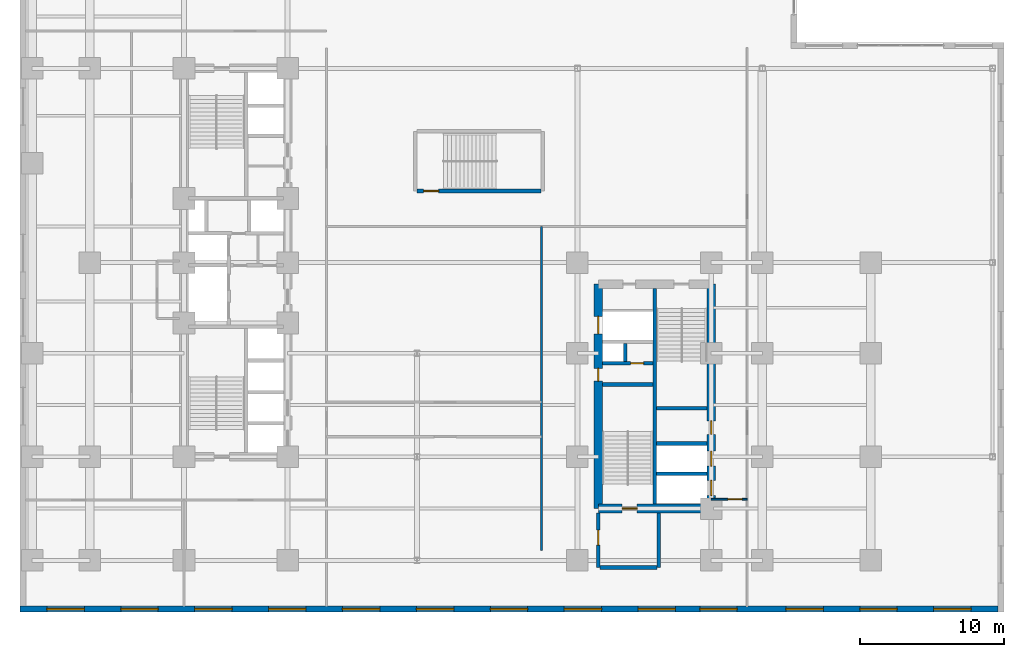
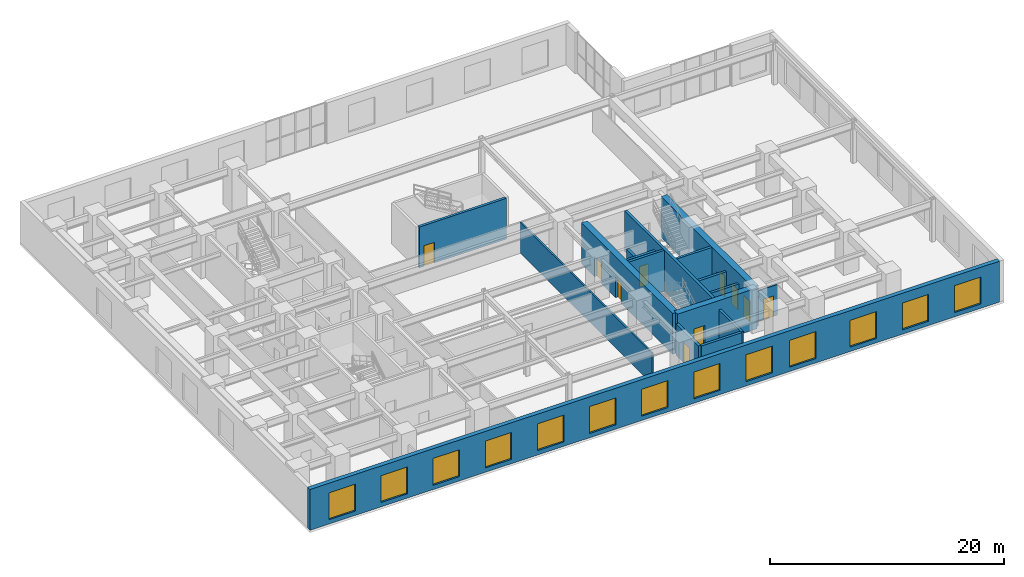
# One storey, part 10 of 15: 17 walls, 13 windows, 10 doors, 23 openings.
"""IFC4 building model written with IfcOpenShell, lengths in metres."""

from ifc_helpers import new_model, entity, si_unit, converted_unit, direction, frame, origin_with_axes, origin_2d_with_axis, place, context, subcontext, project, spatial, polyline, rectangle, outline, extrude, material, layer, layer_set, type_object, element, fill, save


model = new_model("IFC4")

# Units and contexts
model_context = context("Model", 3, precision=1e-05, world=origin_with_axes(), true_north=direction((0.0, 1.0)))
body_context = subcontext(model_context, "Body", "Model", "MODEL_VIEW")
ifc_project = project(units=[si_unit("LENGTHUNIT", "METRE"), si_unit("AREAUNIT", "SQUARE_METRE"), si_unit("VOLUMEUNIT", "CUBIC_METRE"), converted_unit("PLANEANGLEUNIT", "DEGREE", entity("IfcPlaneAngleMeasure", 0.017453292519943295), si_unit("PLANEANGLEUNIT", "RADIAN"), dimensions=[0, 0, 0, 0, 0, 0, 0]), si_unit("MASSUNIT", "GRAM", prefix="KILO"), si_unit("THERMODYNAMICTEMPERATUREUNIT", "KELVIN")], contexts=[model_context])

# Site, building, storey
site_placement = place(None, origin_with_axes())
site = spatial("IfcSite", under=ifc_project, at=site_placement, CompositionType="ELEMENT")
building_placement = place(site_placement, origin_with_axes())
building = spatial("IfcBuilding", under=site, at=building_placement, Name="Varnlund Millrace Tower", CompositionType="ELEMENT")
storey_placement = place(building_placement, frame((0.0, 0.0, 15.3), z_axis=(0.0, 0.0, 1.0), x_axis=(1.0, 0.0, 0.0)))
storey = spatial("IfcBuildingStorey", under=building, at=storey_placement, Name="L03", CompositionType="ELEMENT", Elevation=15.3)

# Wall, openings, doors
ifc_material_1 = material(Name="Concrete C80/95", Category="concrete")
ifc_layer_1 = layer(ifc_material_1, 0.6, Name="Concrete C80/95")
ifc_layer_set_1 = layer_set([ifc_layer_1], Name="Concrete C80/95")
wall_type_1 = type_object("IfcWallType", Name="Type-CoreWall-Shear-600-C80", PredefinedType="SHEAR", material=ifc_layer_set_1)
wall_1_placement = place(storey_placement, frame((40.2, 7.2, 0.0), z_axis=(0.0, 0.0, 1.0), x_axis=(0.0, 1.0, 0.0)))
wall_1 = element("IfcWall", 1, at=wall_1_placement, inside=storey, type_object=wall_type_1, Name="Type-CoreWall-Shear-600-C80", PredefinedType="SHEAR", context=body_context, shape_type="SweptSolid", body=[
    extrude(outline(polyline([(0.0, -0.3), (15.6, -0.3), (15.6, 0.3), (0.0, 0.3), (0.0, -0.3)])), origin_with_axes(), (0.0, 0.0, 1.0), 4.26),
])
opening_1_placement = place(wall_1_placement, frame((12.75, 0.0, 0.0), z_axis=(0.0, 0.0, 1.0), x_axis=(1.0, 0.0, 0.0)))
opening_1 = element("IfcOpeningElement", 2, at=opening_1_placement, cuts=wall_1, Name="Opening L03:LD-SRV2", PredefinedType="OPENING", context=body_context, shape_type="SweptSolid", body=[
    extrude(rectangle(XDim=1.2, YDim=0.62, at=origin_2d_with_axis()), origin_with_axes(), (0.0, 0.0, 1.0), 2.15),
])
opening_2_placement = place(wall_1_placement, frame((9.3, 0.0, 0.0), z_axis=(0.0, 0.0, 1.0), x_axis=(1.0, 0.0, 0.0)))
opening_2 = element("IfcOpeningElement", 3, at=opening_2_placement, cuts=wall_1, Name="Opening L03:DR-CB-JAN", PredefinedType="OPENING", context=body_context, shape_type="SweptSolid", body=[
    extrude(rectangle(XDim=0.9, YDim=0.62, at=origin_2d_with_axis()), origin_with_axes(), (0.0, 0.0, 1.0), 2.15),
])
ifc_material_2 = material(Name="Fire-rated hollow steel service closet door", Category="steel")
door_type_1 = type_object("IfcDoorType", Name="Type-FireDoor-Closet-900X2150", OperationType="NOTDEFINED", PredefinedType="DOOR", material=ifc_material_2)
door_1_placement = place(wall_1_placement, frame((9.3, 0.0, 0.0), z_axis=(0.0, 0.0, 1.0), x_axis=(1.0, 0.0, 0.0)))
door_1 = element("IfcDoor", 4, at=door_1_placement, inside=storey, type_object=door_type_1, Name="Type-FireDoor-Closet-900X2150", OperationType="SINGLE_SWING_RIGHT", OverallHeight=2.15, OverallWidth=0.9, PredefinedType="DOOR", context=body_context, shape_type="SweptSolid", body=[
    extrude(rectangle(XDim=0.9, YDim=0.09, at=origin_2d_with_axis()), origin_with_axes(), (0.0, 0.0, 1.0), 2.15),
])
fill(opening_2, door_1)
ifc_material_3 = material(Name="Heavy-duty freight sliding landing door")
door_type_2 = type_object("IfcDoorType", Name="Type-LiftLandingDoor-Service-1200X2150", OperationType="NOTDEFINED", PredefinedType="DOOR", material=ifc_material_3)
door_2_placement = place(wall_1_placement, frame((12.75, 0.0, 0.0), z_axis=(0.0, 0.0, 1.0), x_axis=(1.0, 0.0, 0.0)))
door_2 = element("IfcDoor", 5, at=door_2_placement, inside=storey, type_object=door_type_2, Name="Type-LiftLandingDoor-Service-1200X2150", OperationType="DOUBLE_DOOR_SLIDING", OverallHeight=2.15, OverallWidth=1.2, PredefinedType="DOOR", context=body_context, shape_type="SweptSolid", body=[
    extrude(rectangle(XDim=1.2, YDim=0.09, at=origin_2d_with_axis()), origin_with_axes(), (0.0, 0.0, 1.0), 2.15),
])
fill(opening_1, door_2)

# Wall, opening, door
wall_2_placement = place(storey_placement, frame((40.2, 7.2, 0.0), z_axis=(0.0, 0.0, 1.0), x_axis=(1.0, 0.0, 0.0)))
wall_2 = element("IfcWall", 6, at=wall_2_placement, inside=storey, type_object=wall_type_1, Name="Type-CoreWall-Shear-600-C80", PredefinedType="SHEAR", context=body_context, shape_type="SweptSolid", body=[
    extrude(outline(polyline([(0.0, -0.3), (7.85, -0.3), (7.85, 0.3), (0.0, 0.3), (0.0, -0.3)])), origin_with_axes(), (0.0, 0.0, 1.0), 4.26),
])
opening_3_placement = place(wall_2_placement, frame((2.175, 0.0, 0.0), z_axis=(0.0, 0.0, 1.0), x_axis=(1.0, 0.0, 0.0)))
opening_3 = element("IfcOpeningElement", 7, at=opening_3_placement, cuts=wall_2, Name="Opening L03:DR-STB1", PredefinedType="OPENING", context=body_context, shape_type="SweptSolid", body=[
    extrude(rectangle(XDim=1.05, YDim=0.62, at=origin_2d_with_axis()), origin_with_axes(), (0.0, 0.0, 1.0), 2.15),
])
ifc_material_4 = material(Name="Fire-rated hollow steel door", Category="steel")
door_type_3 = type_object("IfcDoorType", Name="Type-FireDoor-Stair-1050X2150", OperationType="NOTDEFINED", PredefinedType="DOOR", material=ifc_material_4)
door_3_placement = place(wall_2_placement, frame((2.175, 0.0, 0.0), z_axis=(0.0, 0.0, 1.0), x_axis=(1.0, 0.0, 0.0)))
door_3 = element("IfcDoor", 8, at=door_3_placement, inside=storey, type_object=door_type_3, Name="Type-FireDoor-Stair-1050X2150", OperationType="SINGLE_SWING_LEFT", OverallHeight=2.15, OverallWidth=1.05, PredefinedType="DOOR", context=body_context, shape_type="SweptSolid", body=[
    extrude(rectangle(XDim=1.05, YDim=0.09, at=origin_2d_with_axis()), origin_with_axes(), (0.0, 0.0, 1.0), 2.15),
])
fill(opening_3, door_3)

# Wall, openings, doors
wall_3_placement = place(storey_placement, frame((48.05, 7.2, 0.0), z_axis=(0.0, 0.0, 1.0), x_axis=(0.0, 1.0, 0.0)))
wall_3 = element("IfcWall", 9, at=wall_3_placement, inside=storey, type_object=wall_type_1, Name="Type-CoreWall-Shear-600-C80", PredefinedType="SHEAR", context=body_context, shape_type="SweptSolid", body=[
    extrude(outline(polyline([(0.0, -0.3), (15.6, -0.3), (15.6, 0.3), (0.0, 0.3), (0.0, -0.3)])), origin_with_axes(), (0.0, 0.0, 1.0), 4.26),
])
opening_4_placement = place(wall_3_placement, frame((1.425, 0.0, 0.0), z_axis=(0.0, 0.0, 1.0), x_axis=(1.0, 0.0, 0.0)))
opening_4 = element("IfcOpeningElement", 10, at=opening_4_placement, cuts=wall_3, Name="Opening L03:LD-ELV-L3", PredefinedType="OPENING", context=body_context, shape_type="SweptSolid", body=[
    extrude(rectangle(XDim=1.05, YDim=0.62, at=origin_2d_with_axis()), origin_with_axes(), (0.0, 0.0, 1.0), 2.15),
])
opening_5_placement = place(wall_3_placement, frame((3.475, 0.0, 0.0), z_axis=(0.0, 0.0, 1.0), x_axis=(1.0, 0.0, 0.0)))
opening_5 = element("IfcOpeningElement", 11, at=opening_5_placement, cuts=wall_3, Name="Opening L03:LD-ELV-L4", PredefinedType="OPENING", context=body_context, shape_type="SweptSolid", body=[
    extrude(rectangle(XDim=1.05, YDim=0.62, at=origin_2d_with_axis()), origin_with_axes(), (0.0, 0.0, 1.0), 2.15),
])
opening_6_placement = place(wall_3_placement, frame((5.625, 0.0, 0.0), z_axis=(0.0, 0.0, 1.0), x_axis=(1.0, 0.0, 0.0)))
opening_6 = element("IfcOpeningElement", 12, at=opening_6_placement, cuts=wall_3, Name="Opening L03:DR-CB-WC", PredefinedType="OPENING", context=body_context, shape_type="SweptSolid", body=[
    extrude(rectangle(XDim=0.95, YDim=0.62, at=origin_2d_with_axis()), origin_with_axes(), (0.0, 0.0, 1.0), 2.15),
])
ifc_material_5 = material(Name="Fire-rated hollow steel core service door", Category="steel")
door_type_4 = type_object("IfcDoorType", Name="Type-FireDoor-Service-950X2150", OperationType="NOTDEFINED", PredefinedType="DOOR", material=ifc_material_5)
door_4_placement = place(wall_3_placement, frame((5.625, 0.0, 0.0), z_axis=(0.0, 0.0, 1.0), x_axis=(1.0, 0.0, 0.0)))
door_4 = element("IfcDoor", 13, at=door_4_placement, inside=storey, type_object=door_type_4, Name="Type-FireDoor-Service-950X2150", OperationType="SINGLE_SWING_LEFT", OverallHeight=2.15, OverallWidth=0.95, PredefinedType="DOOR", context=body_context, shape_type="SweptSolid", body=[
    extrude(rectangle(XDim=0.95, YDim=0.09, at=origin_2d_with_axis()), origin_with_axes(), (0.0, 0.0, 1.0), 2.15),
])
fill(opening_6, door_4)
ifc_material_6 = material(Name="Architectural bronze sliding landing door")
door_type_5 = type_object("IfcDoorType", Name="Type-LiftLandingDoor-Compact-1050X2150", OperationType="NOTDEFINED", PredefinedType="DOOR", material=ifc_material_6)
door_5_placement = place(wall_3_placement, frame((1.425, 0.0, 0.0), z_axis=(0.0, 0.0, 1.0), x_axis=(1.0, 0.0, 0.0)))
door_5 = element("IfcDoor", 14, at=door_5_placement, inside=storey, type_object=door_type_5, Name="Type-LiftLandingDoor-Compact-1050X2150", OperationType="SLIDING_TO_LEFT", OverallHeight=2.15, OverallWidth=1.05, PredefinedType="DOOR", context=body_context, shape_type="SweptSolid", body=[
    extrude(rectangle(XDim=1.05, YDim=0.09, at=origin_2d_with_axis()), origin_with_axes(), (0.0, 0.0, 1.0), 2.15),
])
fill(opening_4, door_5)
door_6_placement = place(wall_3_placement, frame((3.475, 0.0, 0.0), z_axis=(0.0, 0.0, 1.0), x_axis=(1.0, 0.0, 0.0)))
door_6 = element("IfcDoor", 15, at=door_6_placement, inside=storey, type_object=door_type_5, Name="Type-LiftLandingDoor-Compact-1050X2150", OperationType="SLIDING_TO_RIGHT", OverallHeight=2.15, OverallWidth=1.05, PredefinedType="DOOR", context=body_context, shape_type="SweptSolid", body=[
    extrude(rectangle(XDim=1.05, YDim=0.09, at=origin_2d_with_axis()), origin_with_axes(), (0.0, 0.0, 1.0), 2.15),
])
fill(opening_5, door_6)

# Wall, openings, windows
ifc_material_7 = material(Name="Precast concrete C50/60", Category="concrete")
ifc_layer_2 = layer(ifc_material_7, 0.42, Name="Precast concrete C50/60")
ifc_layer_set_2 = layer_set([ifc_layer_2], Name="Precast concrete C50/60")
wall_type_2 = type_object("IfcWallType", Name="Type-ExtWall-Precast-Pier-420", PredefinedType="SOLIDWALL", material=ifc_layer_set_2)
wall_4_placement = place(storey_placement, frame((67.98, 0.21, 0.0), z_axis=(0.0, 0.0, 1.0), x_axis=(-1.0, 0.0, 0.0)))
wall_4 = element("IfcWall", 16, at=wall_4_placement, inside=storey, type_object=wall_type_2, Name="Type-ExtWall-Precast-Pier-420", PredefinedType="SOLIDWALL", context=body_context, shape_type="SweptSolid", body=[
    extrude(outline(polyline([(0.0, -0.21), (67.98, -0.21), (67.98, 0.21), (0.0, 0.21), (0.0, -0.21)])), origin_with_axes(), (0.0, 0.0, 1.0), 4.26),
])
opening_7_placement = place(wall_4_placement, frame((3.168, 0.0, 0.45), z_axis=(0.0, 0.0, 1.0), x_axis=(1.0, 0.0, 0.0)))
opening_7 = element("IfcOpeningElement", 17, at=opening_7_placement, cuts=wall_4, Name="Opening L03:WN-01", PredefinedType="OPENING", context=body_context, shape_type="SweptSolid", body=[
    extrude(rectangle(XDim=2.6, YDim=0.44, at=origin_2d_with_axis()), origin_with_axes(), (0.0, 0.0, 1.0), 2.8),
])
opening_8_placement = place(wall_4_placement, frame((8.305, 0.0, 0.45), z_axis=(0.0, 0.0, 1.0), x_axis=(1.0, 0.0, 0.0)))
opening_8 = element("IfcOpeningElement", 18, at=opening_8_placement, cuts=wall_4, Name="Opening L03:WN-02", PredefinedType="OPENING", context=body_context, shape_type="SweptSolid", body=[
    extrude(rectangle(XDim=2.6, YDim=0.44, at=origin_2d_with_axis()), origin_with_axes(), (0.0, 0.0, 1.0), 2.8),
])
opening_9_placement = place(wall_4_placement, frame((13.442, 0.0, 0.45), z_axis=(0.0, 0.0, 1.0), x_axis=(1.0, 0.0, 0.0)))
opening_9 = element("IfcOpeningElement", 19, at=opening_9_placement, cuts=wall_4, Name="Opening L03:WN-03", PredefinedType="OPENING", context=body_context, shape_type="SweptSolid", body=[
    extrude(rectangle(XDim=2.6, YDim=0.44, at=origin_2d_with_axis()), origin_with_axes(), (0.0, 0.0, 1.0), 2.8),
])
opening_10_placement = place(wall_4_placement, frame((19.429, 0.0, 0.45), z_axis=(0.0, 0.0, 1.0), x_axis=(1.0, 0.0, 0.0)))
opening_10 = element("IfcOpeningElement", 20, at=opening_10_placement, cuts=wall_4, Name="Opening L03:WN-04", PredefinedType="OPENING", context=body_context, shape_type="SweptSolid", body=[
    extrude(rectangle(XDim=2.6, YDim=0.44, at=origin_2d_with_axis()), origin_with_axes(), (0.0, 0.0, 1.0), 2.8),
])
opening_11_placement = place(wall_4_placement, frame((23.716, 0.0, 0.45), z_axis=(0.0, 0.0, 1.0), x_axis=(1.0, 0.0, 0.0)))
opening_11 = element("IfcOpeningElement", 21, at=opening_11_placement, cuts=wall_4, Name="Opening L03:WN-05", PredefinedType="OPENING", context=body_context, shape_type="SweptSolid", body=[
    extrude(rectangle(XDim=2.6, YDim=0.44, at=origin_2d_with_axis()), origin_with_axes(), (0.0, 0.0, 1.0), 2.8),
])
opening_12_placement = place(wall_4_placement, frame((28.853, 0.0, 0.45), z_axis=(0.0, 0.0, 1.0), x_axis=(1.0, 0.0, 0.0)))
opening_12 = element("IfcOpeningElement", 22, at=opening_12_placement, cuts=wall_4, Name="Opening L03:WN-06", PredefinedType="OPENING", context=body_context, shape_type="SweptSolid", body=[
    extrude(rectangle(XDim=2.6, YDim=0.44, at=origin_2d_with_axis()), origin_with_axes(), (0.0, 0.0, 1.0), 2.8),
])
opening_13_placement = place(wall_4_placement, frame((33.99, 0.0, 0.45), z_axis=(0.0, 0.0, 1.0), x_axis=(1.0, 0.0, 0.0)))
opening_13 = element("IfcOpeningElement", 23, at=opening_13_placement, cuts=wall_4, Name="Opening L03:WN-07", PredefinedType="OPENING", context=body_context, shape_type="SweptSolid", body=[
    extrude(rectangle(XDim=2.6, YDim=0.44, at=origin_2d_with_axis()), origin_with_axes(), (0.0, 0.0, 1.0), 2.8),
])
opening_14_placement = place(wall_4_placement, frame((39.127, 0.0, 0.45), z_axis=(0.0, 0.0, 1.0), x_axis=(1.0, 0.0, 0.0)))
opening_14 = element("IfcOpeningElement", 24, at=opening_14_placement, cuts=wall_4, Name="Opening L03:WN-08", PredefinedType="OPENING", context=body_context, shape_type="SweptSolid", body=[
    extrude(rectangle(XDim=2.6, YDim=0.44, at=origin_2d_with_axis()), origin_with_axes(), (0.0, 0.0, 1.0), 2.8),
])
opening_15_placement = place(wall_4_placement, frame((44.264, 0.0, 0.45), z_axis=(0.0, 0.0, 1.0), x_axis=(1.0, 0.0, 0.0)))
opening_15 = element("IfcOpeningElement", 25, at=opening_15_placement, cuts=wall_4, Name="Opening L03:WN-09", PredefinedType="OPENING", context=body_context, shape_type="SweptSolid", body=[
    extrude(rectangle(XDim=2.6, YDim=0.44, at=origin_2d_with_axis()), origin_with_axes(), (0.0, 0.0, 1.0), 2.8),
])
opening_16_placement = place(wall_4_placement, frame((49.401, 0.0, 0.45), z_axis=(0.0, 0.0, 1.0), x_axis=(1.0, 0.0, 0.0)))
opening_16 = element("IfcOpeningElement", 26, at=opening_16_placement, cuts=wall_4, Name="Opening L03:WN-10", PredefinedType="OPENING", context=body_context, shape_type="SweptSolid", body=[
    extrude(rectangle(XDim=2.6, YDim=0.44, at=origin_2d_with_axis()), origin_with_axes(), (0.0, 0.0, 1.0), 2.8),
])
opening_17_placement = place(wall_4_placement, frame((54.538, 0.0, 0.45), z_axis=(0.0, 0.0, 1.0), x_axis=(1.0, 0.0, 0.0)))
opening_17 = element("IfcOpeningElement", 27, at=opening_17_placement, cuts=wall_4, Name="Opening L03:WN-11", PredefinedType="OPENING", context=body_context, shape_type="SweptSolid", body=[
    extrude(rectangle(XDim=2.6, YDim=0.44, at=origin_2d_with_axis()), origin_with_axes(), (0.0, 0.0, 1.0), 2.8),
])
opening_18_placement = place(wall_4_placement, frame((59.675, 0.0, 0.45), z_axis=(0.0, 0.0, 1.0), x_axis=(1.0, 0.0, 0.0)))
opening_18 = element("IfcOpeningElement", 28, at=opening_18_placement, cuts=wall_4, Name="Opening L03:WN-12", PredefinedType="OPENING", context=body_context, shape_type="SweptSolid", body=[
    extrude(rectangle(XDim=2.6, YDim=0.44, at=origin_2d_with_axis()), origin_with_axes(), (0.0, 0.0, 1.0), 2.8),
])
opening_19_placement = place(wall_4_placement, frame((64.812, 0.0, 0.45), z_axis=(0.0, 0.0, 1.0), x_axis=(1.0, 0.0, 0.0)))
opening_19 = element("IfcOpeningElement", 29, at=opening_19_placement, cuts=wall_4, Name="Opening L03:WN-13", PredefinedType="OPENING", context=body_context, shape_type="SweptSolid", body=[
    extrude(rectangle(XDim=2.6, YDim=0.44, at=origin_2d_with_axis()), origin_with_axes(), (0.0, 0.0, 1.0), 2.8),
])
ifc_material_8 = material(Name="Argon low-e triple glazing in thermally broken bronze frame", Category="glass")
window_type = type_object("IfcWindowType", Name="Type-Window-Podium-2600X2800", PartitioningType="SINGLE_PANEL", PredefinedType="WINDOW", material=ifc_material_8)
window_1_placement = place(wall_4_placement, frame((3.168, 0.0, 0.45), z_axis=(0.0, 0.0, 1.0), x_axis=(1.0, 0.0, 0.0)))
window_1 = element("IfcWindow", 30, at=window_1_placement, inside=storey, type_object=window_type, Name="Type-Window-Podium-2600X2800", OverallHeight=2.8, OverallWidth=2.6, PredefinedType="WINDOW", context=body_context, shape_type="SweptSolid", body=[
    extrude(rectangle(XDim=2.6, YDim=0.09, at=origin_2d_with_axis()), origin_with_axes(), (0.0, 0.0, 1.0), 2.8),
])
fill(opening_7, window_1)
window_2_placement = place(wall_4_placement, frame((8.305, 0.0, 0.45), z_axis=(0.0, 0.0, 1.0), x_axis=(1.0, 0.0, 0.0)))
window_2 = element("IfcWindow", 31, at=window_2_placement, inside=storey, type_object=window_type, Name="Type-Window-Podium-2600X2800", OverallHeight=2.8, OverallWidth=2.6, PredefinedType="WINDOW", context=body_context, shape_type="SweptSolid", body=[
    extrude(rectangle(XDim=2.6, YDim=0.09, at=origin_2d_with_axis()), origin_with_axes(), (0.0, 0.0, 1.0), 2.8),
])
fill(opening_8, window_2)
window_3_placement = place(wall_4_placement, frame((13.442, 0.0, 0.45), z_axis=(0.0, 0.0, 1.0), x_axis=(1.0, 0.0, 0.0)))
window_3 = element("IfcWindow", 32, at=window_3_placement, inside=storey, type_object=window_type, Name="Type-Window-Podium-2600X2800", OverallHeight=2.8, OverallWidth=2.6, PredefinedType="WINDOW", context=body_context, shape_type="SweptSolid", body=[
    extrude(rectangle(XDim=2.6, YDim=0.09, at=origin_2d_with_axis()), origin_with_axes(), (0.0, 0.0, 1.0), 2.8),
])
fill(opening_9, window_3)
window_4_placement = place(wall_4_placement, frame((19.429, 0.0, 0.45), z_axis=(0.0, 0.0, 1.0), x_axis=(1.0, 0.0, 0.0)))
window_4 = element("IfcWindow", 33, at=window_4_placement, inside=storey, type_object=window_type, Name="Type-Window-Podium-2600X2800", OverallHeight=2.8, OverallWidth=2.6, PredefinedType="WINDOW", context=body_context, shape_type="SweptSolid", body=[
    extrude(rectangle(XDim=2.6, YDim=0.09, at=origin_2d_with_axis()), origin_with_axes(), (0.0, 0.0, 1.0), 2.8),
])
fill(opening_10, window_4)
window_5_placement = place(wall_4_placement, frame((23.716, 0.0, 0.45), z_axis=(0.0, 0.0, 1.0), x_axis=(1.0, 0.0, 0.0)))
window_5 = element("IfcWindow", 34, at=window_5_placement, inside=storey, type_object=window_type, Name="Type-Window-Podium-2600X2800", OverallHeight=2.8, OverallWidth=2.6, PredefinedType="WINDOW", context=body_context, shape_type="SweptSolid", body=[
    extrude(rectangle(XDim=2.6, YDim=0.09, at=origin_2d_with_axis()), origin_with_axes(), (0.0, 0.0, 1.0), 2.8),
])
fill(opening_11, window_5)
window_6_placement = place(wall_4_placement, frame((28.853, 0.0, 0.45), z_axis=(0.0, 0.0, 1.0), x_axis=(1.0, 0.0, 0.0)))
window_6 = element("IfcWindow", 35, at=window_6_placement, inside=storey, type_object=window_type, Name="Type-Window-Podium-2600X2800", OverallHeight=2.8, OverallWidth=2.6, PredefinedType="WINDOW", context=body_context, shape_type="SweptSolid", body=[
    extrude(rectangle(XDim=2.6, YDim=0.09, at=origin_2d_with_axis()), origin_with_axes(), (0.0, 0.0, 1.0), 2.8),
])
fill(opening_12, window_6)
window_7_placement = place(wall_4_placement, frame((33.99, 0.0, 0.45), z_axis=(0.0, 0.0, 1.0), x_axis=(1.0, 0.0, 0.0)))
window_7 = element("IfcWindow", 36, at=window_7_placement, inside=storey, type_object=window_type, Name="Type-Window-Podium-2600X2800", OverallHeight=2.8, OverallWidth=2.6, PredefinedType="WINDOW", context=body_context, shape_type="SweptSolid", body=[
    extrude(rectangle(XDim=2.6, YDim=0.09, at=origin_2d_with_axis()), origin_with_axes(), (0.0, 0.0, 1.0), 2.8),
])
fill(opening_13, window_7)
window_8_placement = place(wall_4_placement, frame((39.127, 0.0, 0.45), z_axis=(0.0, 0.0, 1.0), x_axis=(1.0, 0.0, 0.0)))
window_8 = element("IfcWindow", 37, at=window_8_placement, inside=storey, type_object=window_type, Name="Type-Window-Podium-2600X2800", OverallHeight=2.8, OverallWidth=2.6, PredefinedType="WINDOW", context=body_context, shape_type="SweptSolid", body=[
    extrude(rectangle(XDim=2.6, YDim=0.09, at=origin_2d_with_axis()), origin_with_axes(), (0.0, 0.0, 1.0), 2.8),
])
fill(opening_14, window_8)
window_9_placement = place(wall_4_placement, frame((44.264, 0.0, 0.45), z_axis=(0.0, 0.0, 1.0), x_axis=(1.0, 0.0, 0.0)))
window_9 = element("IfcWindow", 38, at=window_9_placement, inside=storey, type_object=window_type, Name="Type-Window-Podium-2600X2800", OverallHeight=2.8, OverallWidth=2.6, PredefinedType="WINDOW", context=body_context, shape_type="SweptSolid", body=[
    extrude(rectangle(XDim=2.6, YDim=0.09, at=origin_2d_with_axis()), origin_with_axes(), (0.0, 0.0, 1.0), 2.8),
])
fill(opening_15, window_9)
window_10_placement = place(wall_4_placement, frame((49.401, 0.0, 0.45), z_axis=(0.0, 0.0, 1.0), x_axis=(1.0, 0.0, 0.0)))
window_10 = element("IfcWindow", 39, at=window_10_placement, inside=storey, type_object=window_type, Name="Type-Window-Podium-2600X2800", OverallHeight=2.8, OverallWidth=2.6, PredefinedType="WINDOW", context=body_context, shape_type="SweptSolid", body=[
    extrude(rectangle(XDim=2.6, YDim=0.09, at=origin_2d_with_axis()), origin_with_axes(), (0.0, 0.0, 1.0), 2.8),
])
fill(opening_16, window_10)
window_11_placement = place(wall_4_placement, frame((54.538, 0.0, 0.45), z_axis=(0.0, 0.0, 1.0), x_axis=(1.0, 0.0, 0.0)))
window_11 = element("IfcWindow", 40, at=window_11_placement, inside=storey, type_object=window_type, Name="Type-Window-Podium-2600X2800", OverallHeight=2.8, OverallWidth=2.6, PredefinedType="WINDOW", context=body_context, shape_type="SweptSolid", body=[
    extrude(rectangle(XDim=2.6, YDim=0.09, at=origin_2d_with_axis()), origin_with_axes(), (0.0, 0.0, 1.0), 2.8),
])
fill(opening_17, window_11)
window_12_placement = place(wall_4_placement, frame((59.675, 0.0, 0.45), z_axis=(0.0, 0.0, 1.0), x_axis=(1.0, 0.0, 0.0)))
window_12 = element("IfcWindow", 41, at=window_12_placement, inside=storey, type_object=window_type, Name="Type-Window-Podium-2600X2800", OverallHeight=2.8, OverallWidth=2.6, PredefinedType="WINDOW", context=body_context, shape_type="SweptSolid", body=[
    extrude(rectangle(XDim=2.6, YDim=0.09, at=origin_2d_with_axis()), origin_with_axes(), (0.0, 0.0, 1.0), 2.8),
])
fill(opening_18, window_12)
window_13_placement = place(wall_4_placement, frame((64.812, 0.0, 0.45), z_axis=(0.0, 0.0, 1.0), x_axis=(1.0, 0.0, 0.0)))
window_13 = element("IfcWindow", 42, at=window_13_placement, inside=storey, type_object=window_type, Name="Type-Window-Podium-2600X2800", OverallHeight=2.8, OverallWidth=2.6, PredefinedType="WINDOW", context=body_context, shape_type="SweptSolid", body=[
    extrude(rectangle(XDim=2.6, YDim=0.09, at=origin_2d_with_axis()), origin_with_axes(), (0.0, 0.0, 1.0), 2.8),
])
fill(opening_19, window_13)

# Wall
ifc_material_9 = material(Name="Fire-rated gypsum board on cold-formed steel framing", Category="steel")
ifc_layer_3 = layer(ifc_material_9, 0.16, Name="Fire-rated gypsum board on cold-formed steel framing")
ifc_layer_set_3 = layer_set([ifc_layer_3], Name="Fire-rated gypsum board on cold-formed steel framing")
wall_type_3 = type_object("IfcWallType", Name="Type-Partition-Corridor-160", PredefinedType="PARTITIONING", material=ifc_layer_set_3)
wall_5_placement = place(storey_placement, frame((36.25, 4.3, 0.0), z_axis=(0.0, 0.0, 1.0), x_axis=(0.0, 1.0, 0.0)))
element("IfcWall", 43, at=wall_5_placement, inside=storey, type_object=wall_type_3, Name="Type-Partition-Corridor-160", PredefinedType="PARTITIONING", context=body_context, shape_type="SweptSolid", body=[
    extrude(outline(polyline([(0.0, -0.08), (22.5, -0.08), (22.5, 0.08), (0.0, 0.08), (0.0, -0.08)])), origin_with_axes(), (0.0, 0.0, 1.0), 3.2),
])

# Wall, opening, door
ifc_material_10 = material(Name="Gypsum board tenant partition", Category="gypsum")
ifc_layer_4 = layer(ifc_material_10, 0.125, Name="Gypsum board tenant partition")
ifc_layer_set_4 = layer_set([ifc_layer_4], Name="Gypsum board tenant partition")
wall_type_4 = type_object("IfcWallType", Name="Type-Partition-Tenant-125", PredefinedType="PARTITIONING", material=ifc_layer_set_4)
wall_6_placement = place(storey_placement, frame((48.05, 7.85, 0.0), z_axis=(0.0, 0.0, 1.0), x_axis=(1.0, 0.0, 0.0)))
wall_6 = element("IfcWall", 44, at=wall_6_placement, inside=storey, type_object=wall_type_4, Name="Type-Partition-Tenant-125", PredefinedType="PARTITIONING", context=body_context, shape_type="SweptSolid", body=[
    extrude(outline(polyline([(0.0, -0.0625), (2.5, -0.0625), (2.5, 0.0625), (0.0, 0.0625), (0.0, -0.0625)])), origin_with_axes(), (0.0, 0.0, 1.0), 3.2),
])
opening_20_placement = place(wall_6_placement, frame((1.65, 0.0, 0.0), z_axis=(0.0, 0.0, 1.0), x_axis=(1.0, 0.0, 0.0)))
opening_20 = element("IfcOpeningElement", 45, at=opening_20_placement, cuts=wall_6, Name="Opening L03:DR-POD-BSR", PredefinedType="OPENING", context=body_context, shape_type="SweptSolid", body=[
    extrude(rectangle(XDim=1.0, YDim=0.145, at=origin_2d_with_axis()), origin_with_axes(), (0.0, 0.0, 1.0), 2.15),
])
ifc_material_11 = material(Name="Solid-core white oak and bronze frame door")
door_type_6 = type_object("IfcDoorType", Name="Type-IntDoor-Office-1000X2150", OperationType="NOTDEFINED", PredefinedType="DOOR", material=ifc_material_11)
door_7_placement = place(wall_6_placement, frame((1.65, 0.0, 0.0), z_axis=(0.0, 0.0, 1.0), x_axis=(1.0, 0.0, 0.0)))
door_7 = element("IfcDoor", 46, at=door_7_placement, inside=storey, type_object=door_type_6, Name="Type-IntDoor-Office-1000X2150", OperationType="SINGLE_SWING_LEFT", OverallHeight=2.15, OverallWidth=1.0, PredefinedType="DOOR", context=body_context, shape_type="SweptSolid", body=[
    extrude(rectangle(XDim=1.0, YDim=0.075, at=origin_2d_with_axis()), origin_with_axes(), (0.0, 0.0, 1.0), 2.15),
])
fill(opening_20, door_7)

ifc_material_12 = material(Name="Concrete C60/75", Category="concrete")
ifc_layer_5 = layer(ifc_material_12, 0.25, Name="Concrete C60/75")
ifc_layer_set_5 = layer_set([ifc_layer_5], Name="Concrete C60/75")
wall_type_5 = type_object("IfcWallType", Name="Type-ShaftWall-Fire-250", PredefinedType="SOLIDWALL", material=ifc_layer_set_5)
wall_7_placement = place(storey_placement, frame((40.5, 17.3, 0.0), z_axis=(0.0, 0.0, 1.0), x_axis=(1.0, 0.0, 0.0)))
wall_7 = element("IfcWall", 47, at=wall_7_placement, inside=storey, type_object=wall_type_5, Name="Type-ShaftWall-Fire-250", PredefinedType="SOLIDWALL", context=body_context, shape_type="SweptSolid", body=[
    extrude(outline(polyline([(0.0, -0.125), (3.5, -0.125), (3.5, 0.125), (0.0, 0.125), (0.0, -0.125)])), origin_with_axes(), (0.0, 0.0, 1.0), 3.3),
])
opening_21_placement = place(wall_7_placement, frame((2.4, 0.0, 0.0), z_axis=(0.0, 0.0, 1.0), x_axis=(1.0, 0.0, 0.0)))
opening_21 = element("IfcOpeningElement", 48, at=opening_21_placement, cuts=wall_7, Name="Opening L03:DR-CB-ELC", PredefinedType="OPENING", context=body_context, shape_type="SweptSolid", body=[
    extrude(rectangle(XDim=0.9, YDim=0.27, at=origin_2d_with_axis()), origin_with_axes(), (0.0, 0.0, 1.0), 2.15),
])
door_8_placement = place(wall_7_placement, frame((2.4, 0.0, 0.0), z_axis=(0.0, 0.0, 1.0), x_axis=(1.0, 0.0, 0.0)))
door_8 = element("IfcDoor", 49, at=door_8_placement, inside=storey, type_object=door_type_1, Name="Type-FireDoor-Closet-900X2150", OperationType="SINGLE_SWING_LEFT", OverallHeight=2.15, OverallWidth=0.9, PredefinedType="DOOR", context=body_context, shape_type="SweptSolid", body=[
    extrude(rectangle(XDim=0.9, YDim=0.09, at=origin_2d_with_axis()), origin_with_axes(), (0.0, 0.0, 1.0), 2.15),
])
fill(opening_21, door_8)

# Wall
wall_8_placement = place(storey_placement, frame((42.075, 17.43, 0.0), z_axis=(0.0, 0.0, 1.0), x_axis=(0.0, 1.0, 0.0)))
element("IfcWall", 50, at=wall_8_placement, inside=storey, type_object=wall_type_5, Name="Type-ShaftWall-Fire-250", PredefinedType="SOLIDWALL", context=body_context, shape_type="SweptSolid", body=[
    extrude(outline(polyline([(0.0, -0.125), (1.24, -0.125), (1.24, 0.125), (0.0, 0.125), (0.0, -0.125)])), origin_with_axes(), (0.0, 0.0, 1.0), 3.3),
])

# Wall, opening, door
wall_9_placement = place(storey_placement, frame((40.2, 3.1, 0.0), z_axis=(0.0, 0.0, 1.0), x_axis=(0.0, 1.0, 0.0)))
wall_9 = element("IfcWall", 51, at=wall_9_placement, inside=storey, type_object=wall_type_5, Name="Type-ShaftWall-Fire-250", PredefinedType="SOLIDWALL", context=body_context, shape_type="SweptSolid", body=[
    extrude(outline(polyline([(0.0, -0.125), (3.8, -0.125), (3.8, 0.125), (0.0, 0.125), (0.0, -0.125)])), origin_with_axes(), (0.0, 0.0, 1.0), 3.3),
])
opening_22_placement = place(wall_9_placement, frame((2.075, 0.0, 0.0), z_axis=(0.0, 0.0, 1.0), x_axis=(1.0, 0.0, 0.0)))
opening_22 = element("IfcOpeningElement", 52, at=opening_22_placement, cuts=wall_9, Name="Opening L03:DR-FFLOB-B", PredefinedType="OPENING", context=body_context, shape_type="SweptSolid", body=[
    extrude(rectangle(XDim=1.05, YDim=0.27, at=origin_2d_with_axis()), origin_with_axes(), (0.0, 0.0, 1.0), 2.15),
])
ifc_material_13 = material(Name="Smoke-barrier hollow steel fire door", Category="steel")
door_type_7 = type_object("IfcDoorType", Name="Type-FireDoor-Lobby-1050X2150", OperationType="NOTDEFINED", PredefinedType="DOOR", material=ifc_material_13)
door_9_placement = place(wall_9_placement, frame((2.075, 0.0, 0.0), z_axis=(0.0, 0.0, 1.0), x_axis=(1.0, 0.0, 0.0)))
door_9 = element("IfcDoor", 53, at=door_9_placement, inside=storey, type_object=door_type_7, Name="Type-FireDoor-Lobby-1050X2150", OperationType="SINGLE_SWING_LEFT", OverallHeight=2.15, OverallWidth=1.05, PredefinedType="DOOR", context=body_context, shape_type="SweptSolid", body=[
    extrude(rectangle(XDim=1.05, YDim=0.09, at=origin_2d_with_axis()), origin_with_axes(), (0.0, 0.0, 1.0), 2.15),
])
fill(opening_22, door_9)

# Walls
wall_10_placement = place(storey_placement, frame((40.325, 3.1, 0.0), z_axis=(0.0, 0.0, 1.0), x_axis=(1.0, 0.0, 0.0)))
element("IfcWall", 54, at=wall_10_placement, inside=storey, type_object=wall_type_5, Name="Type-ShaftWall-Fire-250", PredefinedType="SOLIDWALL", context=body_context, shape_type="SweptSolid", body=[
    extrude(outline(polyline([(0.0, -0.125), (3.95, -0.125), (3.95, 0.125), (0.0, 0.125), (0.0, -0.125)])), origin_with_axes(), (0.0, 0.0, 1.0), 3.3),
])
wall_11_placement = place(storey_placement, frame((44.4, 3.1, 0.0), z_axis=(0.0, 0.0, 1.0), x_axis=(0.0, 1.0, 0.0)))
element("IfcWall", 55, at=wall_11_placement, inside=storey, type_object=wall_type_5, Name="Type-ShaftWall-Fire-250", PredefinedType="SOLIDWALL", context=body_context, shape_type="SweptSolid", body=[
    extrude(outline(polyline([(0.0, -0.125), (3.8, -0.125), (3.8, 0.125), (0.0, 0.125), (0.0, -0.125)])), origin_with_axes(), (0.0, 0.0, 1.0), 3.3),
])
for number, where, z_axis, x_axis, name in (
    (56, (44.25, 9.62, 0.0), (0.0, 0.0, 1.0), (1.0, 0.0, 0.0), "Type-ShaftWall-Fire-250"),
    (57, (44.25, 11.72, 0.0), (0.0, 0.0, 1.0), (1.0, 0.0, 0.0), "Type-ShaftWall-Fire-250"),
):
    element("IfcWall", number, at=place(storey_placement, frame(where, z_axis=z_axis, x_axis=x_axis)), inside=storey, type_object=wall_type_5, Name=name, PredefinedType="SOLIDWALL", context=body_context, shape_type="SweptSolid", body=[
        extrude(outline(polyline([(0.0, -0.125), (3.5, -0.125), (3.5, 0.125), (0.0, 0.125), (0.0, -0.125)])), origin_with_axes(), (0.0, 0.0, 1.0), 3.2),
    ])
wall_type_6 = type_object("IfcWallType", Name="Type-StairWall-Shear-250", PredefinedType="SHEAR", material=ifc_layer_set_5)
wall_12_placement = place(storey_placement, frame((44.125, 7.5, 0.0), z_axis=(0.0, 0.0, 1.0), x_axis=(0.0, 1.0, 0.0)))
element("IfcWall", 58, at=wall_12_placement, inside=storey, type_object=wall_type_6, Name="Type-StairWall-Shear-250", PredefinedType="SHEAR", context=body_context, shape_type="SweptSolid", body=[
    extrude(outline(polyline([(0.0, -0.125), (15.0, -0.125), (15.0, 0.125), (0.0, 0.125), (0.0, -0.125)])), origin_with_axes(), (0.0, 0.0, 1.0), 4.26),
])
for number, where, z_axis, x_axis, name in (
    (59, (40.5, 15.825, 0.0), (0.0, 0.0, 1.0), (1.0, 0.0, 0.0), "Type-StairWall-Shear-250"),
    (60, (44.25, 14.175, 0.0), (0.0, 0.0, 1.0), (1.0, 0.0, 0.0), "Type-StairWall-Shear-250"),
):
    element("IfcWall", number, at=place(storey_placement, frame(where, z_axis=z_axis, x_axis=x_axis)), inside=storey, type_object=wall_type_6, Name=name, PredefinedType="SHEAR", context=body_context, shape_type="SweptSolid", body=[
        extrude(outline(polyline([(0.0, -0.125), (3.5, -0.125), (3.5, 0.125), (0.0, 0.125), (0.0, -0.125)])), origin_with_axes(), (0.0, 0.0, 1.0), 4.26),
    ])

# Wall, opening, door
wall_13_placement = place(storey_placement, frame((27.6, 29.275, 0.0), z_axis=(0.0, 0.0, 1.0), x_axis=(1.0, 0.0, 0.0)))
wall_13 = element("IfcWall", 61, at=wall_13_placement, inside=storey, type_object=wall_type_6, Name="Type-StairWall-Shear-250", PredefinedType="SHEAR", context=body_context, shape_type="SweptSolid", body=[
    extrude(outline(polyline([(0.0, -0.125), (8.6, -0.125), (8.6, 0.125), (0.0, 0.125), (0.0, -0.125)])), origin_with_axes(), (0.0, 0.0, 1.0), 4.26),
])
opening_23_placement = place(wall_13_placement, frame((0.975, 0.0, 0.0), z_axis=(0.0, 0.0, 1.0), x_axis=(1.0, 0.0, 0.0)))
opening_23 = element("IfcOpeningElement", 62, at=opening_23_placement, cuts=wall_13, Name="Opening L03:DR-STP1", PredefinedType="OPENING", context=body_context, shape_type="SweptSolid", body=[
    extrude(rectangle(XDim=1.05, YDim=0.27, at=origin_2d_with_axis()), origin_with_axes(), (0.0, 0.0, 1.0), 2.15),
])
door_10_placement = place(wall_13_placement, frame((0.975, 0.0, 0.0), z_axis=(0.0, 0.0, 1.0), x_axis=(1.0, 0.0, 0.0)))
door_10 = element("IfcDoor", 63, at=door_10_placement, inside=storey, type_object=door_type_3, Name="Type-FireDoor-Stair-1050X2150", OperationType="SINGLE_SWING_LEFT", OverallHeight=2.15, OverallWidth=1.05, PredefinedType="DOOR", context=body_context, shape_type="SweptSolid", body=[
    extrude(rectangle(XDim=1.05, YDim=0.09, at=origin_2d_with_axis()), origin_with_axes(), (0.0, 0.0, 1.0), 2.15),
])
fill(opening_23, door_10)

save(model, "model.ifc")
